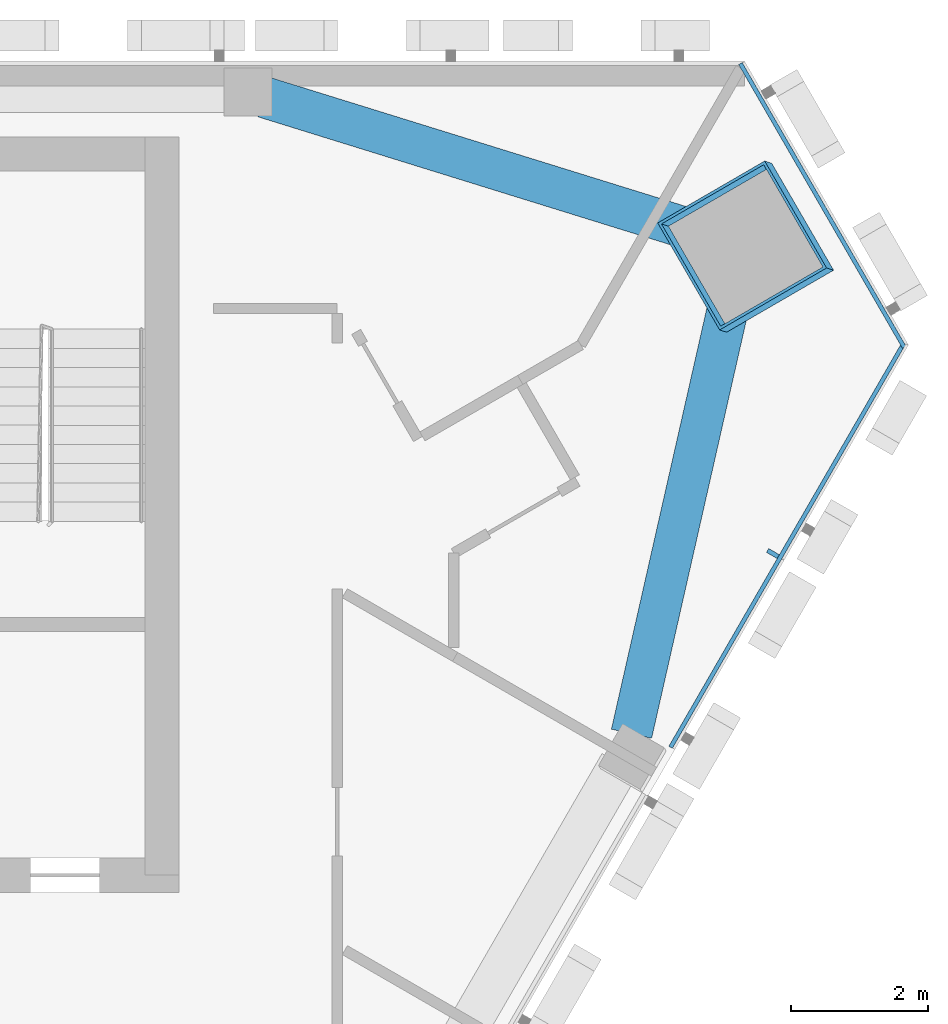
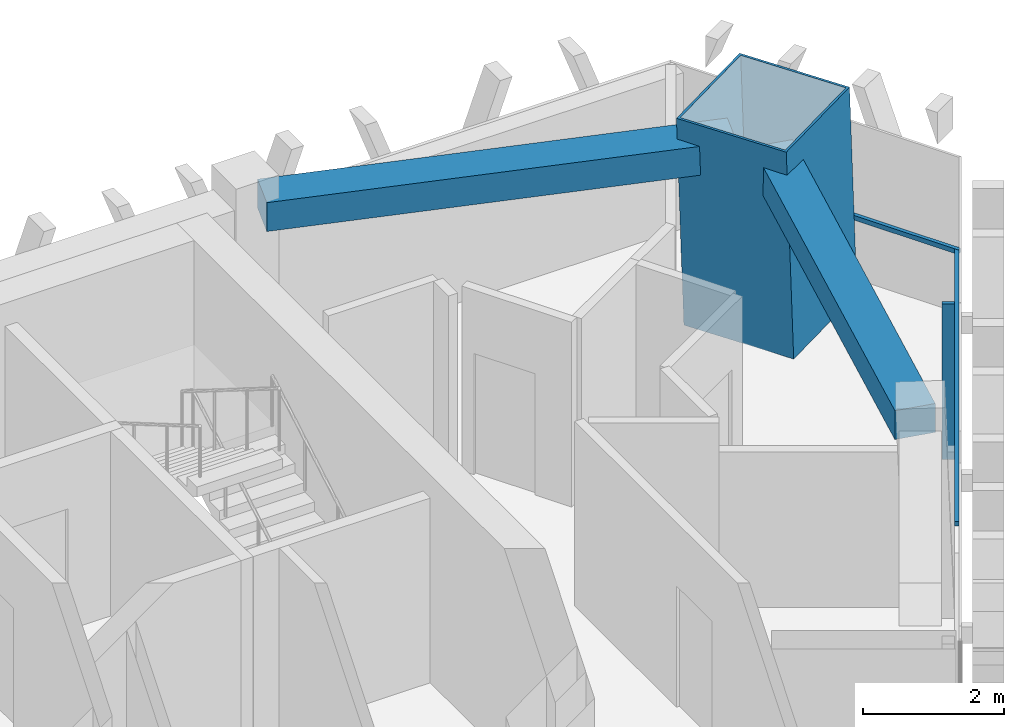
# One storey, part 6 of 14: 4 members, 2 beams, 2 elements without a shape of their own.
"""IFC4 building model written with IfcOpenShell, lengths in metres."""

from ifc_helpers import new_model, si_unit, direction, frame, origin, origin_2d, place, context, subcontext, project, spatial, rectangle, hollow_rectangle, extrude, material, layer, layer_set, material_profile, profile_set, type_object, element, aggregate, save


model = new_model("IFC4")

# Units and contexts
model_context = context("Model", 3, precision=1e-05, world=origin(), true_north=direction((0.0, 1.0)))
body_context = subcontext(model_context, "Body", "Model", "MODEL_VIEW")
ifc_project = project(units=[si_unit("LENGTHUNIT", "METRE"), si_unit("AREAUNIT", "SQUARE_METRE"), si_unit("VOLUMEUNIT", "CUBIC_METRE"), si_unit("PLANEANGLEUNIT", "RADIAN"), si_unit("MASSUNIT", "GRAM", prefix="KILO")], contexts=[model_context])

# Site, building, storey
site_placement = place(None, origin())
site = spatial("IfcSite", under=ifc_project, at=site_placement, CompositionType="ELEMENT")
building_placement = place(site_placement, origin())
building = spatial("IfcBuilding", under=site, at=building_placement, Name="Altiplano Prism Tower", CompositionType="ELEMENT")
storey_placement = place(building_placement, frame((0.0, 0.0, 271.60009765625)))
storey = spatial("IfcBuildingStorey", under=building, at=storey_placement, Name="L70", CompositionType="ELEMENT", Elevation=271.60009765625)

# Curtain wall, members
ifc_material_1 = material(Name="Aluminium and glass", Category="aluminium")
ifc_layer = layer(ifc_material_1, 0.280029296875)
ifc_layer_set = layer_set([ifc_layer], Name="Aluminium and glass")
curtain_wall_type = type_object("IfcCurtainWallType", Name="CW1 typical co-living unitised curtain wall", PredefinedType="NOTDEFINED", material=ifc_layer_set)
curtain_wall_1_placement = place(storey_placement, origin())
curtain_wall_1 = element("IfcCurtainWall", 1, at=curtain_wall_1_placement, inside=storey, type_object=curtain_wall_type, Name="CW1 curtain wall south-east face L70", PredefinedType="NOTDEFINED")
ifc_material_2 = material(Name="Aluminium", Category="aluminium")
ifc_material_profile_1 = material_profile(ifc_material_2, rectangle(XDim=0.179931640625, YDim=0.06494140625, at=origin_2d()), Name="CW1 mullion 65 x 180")
ifc_profile_set_1 = profile_set([ifc_material_profile_1], Name="Aluminium")
member_type_1 = type_object("IfcMemberType", Name="CW1 mullion 65 x 180", PredefinedType="MULLION", material=ifc_profile_set_1)
member_1_placement = place(storey_placement, frame((106.1455078125, 97.831787109375, 0.0), z_axis=(0.0, 0.0, 1.0), x_axis=(-0.866025407039, 0.499999994362, 0.0)))
member_1 = element("IfcMember", 2, at=member_1_placement, type_object=member_type_1, Name="CW1 mullion", PredefinedType="MULLION", context=body_context, shape_type="SweptSolid", body=[
    extrude(rectangle(XDim=0.179931640625, YDim=0.06494140625, at=origin_2d()), origin(), (0.0, 0.0, 1.0), 2.699951171875),
])
ifc_material_profile_2 = material_profile(ifc_material_2, rectangle(XDim=0.06005859375, YDim=0.080078125, at=origin_2d()), Name="CW1 transom 80 x 60")
ifc_profile_set_2 = profile_set([ifc_material_profile_2], Name="Aluminium")
member_type_2 = type_object("IfcMemberType", Name="CW1 transom 80 x 60", PredefinedType="USERDEFINED", material=ifc_profile_set_2)
member_2_placement = place(storey_placement, frame((104.65576171875, 95.01171875, 1.099853515625), z_axis=(0.500006152372, 0.866021851682, 0.0), x_axis=(-0.866021851682, 0.500006152372, 0.0)))
member_2 = element("IfcMember", 3, at=member_2_placement, type_object=member_type_2, Name="CW1 transom", ObjectType="TRANSOM", PredefinedType="USERDEFINED", context=body_context, shape_type="SweptSolid", body=[
    extrude(rectangle(XDim=0.06005859375, YDim=0.080078125, at=origin_2d()), origin(), (0.0, 0.0, 1.0), 6.8037109375),
])
aggregate(curtain_wall_1, [member_1, member_2])

# Curtain wall, member
curtain_wall_2_placement = place(storey_placement, origin())
curtain_wall_2 = element("IfcCurtainWall", 4, at=curtain_wall_2_placement, inside=storey, type_object=curtain_wall_type, Name="CW1 curtain wall north-east chamfer L70", PredefinedType="NOTDEFINED")
member_3_placement = place(storey_placement, frame((108.0576171875, 100.833740234375, 1.099853515625), z_axis=(-0.50000302246, 0.866023658759, 0.0), x_axis=(-0.866023658759, -0.50000302246, 0.0)))
member_3 = element("IfcMember", 5, at=member_3_placement, type_object=member_type_2, Name="CW1 transom", ObjectType="TRANSOM", PredefinedType="USERDEFINED", context=body_context, shape_type="SweptSolid", body=[
    extrude(rectangle(XDim=0.06005859375, YDim=0.080078125, at=origin_2d()), origin(), (0.0, 0.0, 1.0), 4.7705078125),
])
aggregate(curtain_wall_2, [member_3])

# Beams
ifc_material_3 = material(Name="Concrete C60/75", Category="concrete")
ifc_material_profile_3 = material_profile(ifc_material_3, rectangle(XDim=0.60009765625, YDim=0.5, at=origin_2d()), Name="Edge beam 600x500")
ifc_profile_set_3 = profile_set([ifc_material_profile_3], Name="Concrete C60/75")
beam_type = type_object("IfcBeamType", Name="Edge beam 600x500", PredefinedType="SPANDREL", material=ifc_profile_set_3)
for number, where, z_axis, x_axis, name in (
    (6, (104.08642578125, 95.208740234375, 2.949951171875), (0.221033226899, 0.975266277796, 0.0), (-0.975266277796, 0.221033226899, 0.0), "Edge beam P24-M2 L71"),
    (7, (105.267822265625, 102.450927734375, 2.949951171875), (-0.95511360212, 0.296239779646, 0.0), (-0.296239779646, -0.95511360212, 0.0), "Edge beam M2-P01 L71"),
):
    element("IfcBeam", number, at=place(storey_placement, frame(where, z_axis=z_axis, x_axis=x_axis)), inside=storey, type_object=beam_type, Name=name, PredefinedType="SPANDREL", context=body_context, shape_type="SweptSolid", body=[
        extrude(rectangle(XDim=0.60009765625, YDim=0.5, at=origin_2d()), origin(), (0.0, 0.0, 1.0), 6.83935546875),
    ])

# Member
ifc_material_4 = material(Name="Steel S460", Category="steel")
ifc_material_profile_4 = material_profile(ifc_material_4, hollow_rectangle(XDim=1.800048828125, YDim=1.800048828125, WallThickness=0.0400390625, at=origin_2d()), Name="Mega column tube 1800")
ifc_profile_set_4 = profile_set([ifc_material_profile_4], Name="Steel S460")
member_type_3 = type_object("IfcMemberType", Name="Mega column tube 1800", PredefinedType="POST", material=ifc_profile_set_4)
member_4_placement = place(storey_placement, frame((105.7998046875, 102.284423828125, 0.0), z_axis=(-0.028403739082, 0.009219352065, 0.999554016126), x_axis=(0.500765083006, -0.865298216412, 0.022210995403)))
element("IfcMember", 8, at=member_4_placement, inside=storey, type_object=member_type_3, Name="Mega column tube M2 L70", PredefinedType="POST", context=body_context, shape_type="SweptSolid", body=[
    extrude(hollow_rectangle(XDim=1.800048828125, YDim=1.800048828125, WallThickness=0.0400390625, at=origin_2d()), origin(), (0.0, 0.0, 1.0), 3.6015625),
])

save(model, "model.ifc")
